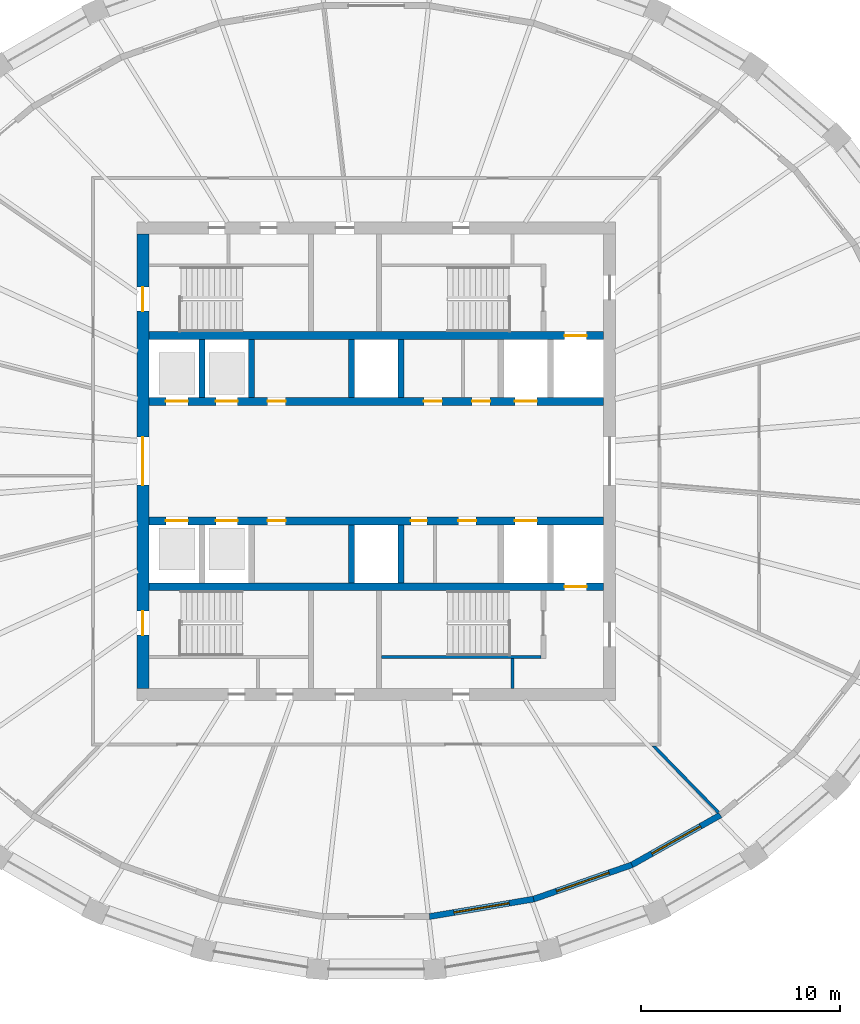
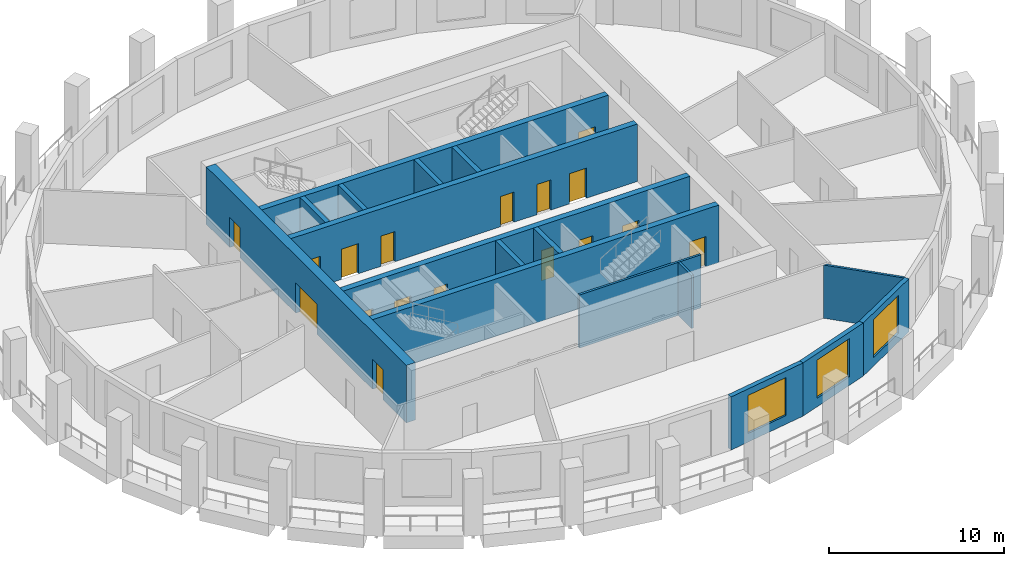
# One storey, part 4 of 10: 17 doors, 17 walls, 3 windows, 20 openings.
"""IFC4 building model written with IfcOpenShell, lengths in metres."""

from ifc_helpers import new_model, si_unit, direction, frame, frame_2d, origin, place, context, subcontext, project, spatial, polyline, rectangle, outline, extrude, material, layer, layer_set, type_object, element, fill, save


model = new_model("IFC4")

# Units and contexts
model_context = context("Model", 3, precision=1e-05, world=origin(), true_north=direction((0.0, 1.0)))
body_context = subcontext(model_context, "Body", "Model", "MODEL_VIEW")
ifc_project = project(units=[si_unit("LENGTHUNIT", "METRE"), si_unit("AREAUNIT", "SQUARE_METRE"), si_unit("VOLUMEUNIT", "CUBIC_METRE"), si_unit("PLANEANGLEUNIT", "RADIAN"), si_unit("MASSUNIT", "GRAM", prefix="KILO")], contexts=[model_context])

# Site, building, storey
site_placement = place(None, origin())
site = spatial("IfcSite", under=ifc_project, at=site_placement, CompositionType="ELEMENT")
building_placement = place(site_placement, origin())
building = spatial("IfcBuilding", under=site, at=building_placement, Name="Halqa Exchange Tower", CompositionType="ELEMENT")
storey_placement = place(building_placement, frame((0.0, 0.0, 268.300048828125)))
storey = spatial("IfcBuildingStorey", under=building, at=storey_placement, Name="L62", CompositionType="ELEMENT", Elevation=268.300048828125)

# Walls
ifc_material_1 = material(Name="Fire-rated gypsum board")
ifc_layer_1 = layer(ifc_material_1, 0.14990234375)
ifc_layer_set_1 = layer_set([ifc_layer_1], Name="Fire-rated gypsum board")
wall_type_1 = type_object("IfcWallType", Name="Fire partition EI 60 150", PredefinedType="PARTITIONING", material=ifc_layer_set_1)
wall_1_placement = place(storey_placement, frame((13.852294921875, -14.222900390625, 0.0), z_axis=(0.0, 0.0, 1.0), x_axis=(0.69820654799, -0.715896372629, 0.0)))
element("IfcWall", 1, at=wall_1_placement, inside=storey, type_object=wall_type_1, Name="L62-PWL-015", PredefinedType="PARTITIONING", context=body_context, shape_type="SweptSolid", body=[
    extrude(outline(polyline([(0.0, -0.074951171875), (1.577880859375, -0.074951171875), (3.156005859375, -0.074951171875), (4.73388671875, -0.074951171875), (4.73388671875, -0.07470703125), (4.73388671875, 0.074951171875), (3.20458984375, 0.074951171875), (1.67529296875, 0.074951171875), (0.14599609375, 0.074951171875), (0.0, -0.07470703125), (0.0, -0.074951171875)])), origin(), (0.0, 0.0, 1.0), 3.699951171875),
])
ifc_material_2 = material(Name="Gypsum board")
ifc_layer_2 = layer(ifc_material_2, 0.14990234375)
ifc_layer_set_2 = layer_set([ifc_layer_2], Name="Gypsum board")
wall_type_2 = type_object("IfcWallType", Name="Penthouse riser wall 150 gypsum", PredefinedType="PARTITIONING", material=ifc_layer_set_2)
wall_2_placement = place(storey_placement, frame((6.824951171875, -11.39990234375, 0.0), z_axis=(0.0, 0.0, 1.0), x_axis=(0.0, 1.0, 0.0)))
element("IfcWall", 2, at=wall_2_placement, inside=storey, type_object=wall_type_2, Name="Firefighting lobby west wall S", PredefinedType="PARTITIONING", context=body_context, shape_type="SweptSolid", body=[
    extrude(rectangle(XDim=1.5, YDim=0.14990234375, at=frame_2d((0.75, 0.0))), origin(), (0.0, 0.0, 1.0), 3.699951171875),
])
ifc_material_3 = material(Name="Concrete C60/75", Category="concrete")
ifc_layer_3 = layer(ifc_material_3, 0.300048828125)
ifc_layer_set_3 = layer_set([ifc_layer_3], Name="Concrete C60/75")
wall_type_3 = type_object("IfcWallType", Name="RC core wall 300", PredefinedType="SHEAR", material=ifc_layer_set_3)
for number, where, z_axis, x_axis, name in (
    (3, (-8.75, 3.199951171875, 0.0), (0.0, 0.0, 1.0), (0.0, 1.0, 0.0), "Shaft divider N1"),
    (4, (-6.25, 3.199951171875, 0.0), (0.0, 0.0, 1.0), (0.0, 1.0, 0.0), "Shaft divider N2"),
    (5, (-1.25, 3.199951171875, 0.0), (0.0, 0.0, 1.0), (0.0, 1.0, 0.0), "Shaft divider N4"),
    (6, (1.25, 3.199951171875, 0.0), (0.0, 0.0, 1.0), (0.0, 1.0, 0.0), "Shaft divider N5"),
    (7, (-1.25, -6.10009765625, 0.0), (0.0, 0.0, 1.0), (0.0, 1.0, 0.0), "Shaft divider S4"),
    (8, (1.25, -6.10009765625, 0.0), (0.0, 0.0, 1.0), (0.0, 1.0, 0.0), "Shaft divider S5"),
):
    element("IfcWall", number, at=place(storey_placement, frame(where, z_axis=z_axis, x_axis=x_axis)), inside=storey, type_object=wall_type_3, Name=name, PredefinedType="SHEAR", context=body_context, shape_type="SweptSolid", body=[
        extrude(rectangle(XDim=2.900146484375, YDim=0.300048828125, at=frame_2d((1.4501953125, 0.0))), origin(), (0.0, 0.0, 1.0), 4.0),
    ])

# Wall, openings, doors
ifc_layer_4 = layer(ifc_material_3, 0.39990234375)
ifc_layer_set_4 = layer_set([ifc_layer_4], Name="Concrete C60/75")
wall_type_4 = type_object("IfcWallType", Name="RC core wall 400 C60/75", PredefinedType="SHEAR", material=ifc_layer_set_4)
wall_3_placement = place(storey_placement, frame((-11.39990234375, 3.0, 0.0), z_axis=(0.0, 0.0, 1.0), x_axis=(1.0, 0.0, 0.0)))
wall_3 = element("IfcWall", 9, at=wall_3_placement, inside=storey, type_object=wall_type_4, Name="Lift row front wall N", PredefinedType="SHEAR", context=body_context, shape_type="SweptSolid", body=[
    extrude(rectangle(XDim=22.7998046875, YDim=0.39990234375, at=frame_2d((11.39990234375, 0.0))), origin(), (0.0, 0.0, 1.0), 4.0),
])
opening_1_placement = place(wall_3_placement, frame((0.85009765625, 0.0, 0.0)))
opening_1 = element("IfcOpeningElement", 10, at=opening_1_placement, cuts=wall_3, Name="Opening LD-HR1-T19", PredefinedType="OPENING", context=body_context, shape_type="SweptSolid", body=[
    extrude(rectangle(XDim=1.10009765625, YDim=2.10009765625, at=frame_2d((0.550048828125, 1.050048828125))), frame((0.0, 0.2119140625, 0.0), z_axis=(0.0, -1.0, 0.0), x_axis=(1.0, 0.0, 0.0)), (0.0, 0.0, 1.0), 0.423828125),
])
opening_2_placement = place(wall_3_placement, frame((3.35009765625, 0.0, 0.0)))
opening_2 = element("IfcOpeningElement", 11, at=opening_2_placement, cuts=wall_3, Name="Opening LD-HR2-T19", PredefinedType="OPENING", context=body_context, shape_type="SweptSolid", body=[
    extrude(rectangle(XDim=1.10009765625, YDim=2.10009765625, at=frame_2d((0.550048828125, 1.050048828125))), frame((0.0, 0.2119140625, 0.0), z_axis=(0.0, -1.0, 0.0), x_axis=(1.0, 0.0, 0.0)), (0.0, 0.0, 1.0), 0.423828125),
])
opening_3_placement = place(wall_3_placement, frame((18.35009765625, 0.0, 0.0)))
opening_3 = element("IfcOpeningElement", 12, at=opening_3_placement, cuts=wall_3, Name="Opening LD-SV1-T19", PredefinedType="OPENING", context=body_context, shape_type="SweptSolid", body=[
    extrude(rectangle(XDim=1.10009765625, YDim=2.10009765625, at=frame_2d((0.550048828125, 1.050048828125))), frame((0.0, 0.2119140625, 0.0), z_axis=(0.0, -1.0, 0.0), x_axis=(1.0, 0.0, 0.0)), (0.0, 0.0, 1.0), 0.423828125),
])
opening_4_placement = place(wall_3_placement, frame((13.78759765625, 0.0, 0.0)))
opening_4 = element("IfcOpeningElement", 13, at=opening_4_placement, cuts=wall_3, Name="Opening T19-C25", PredefinedType="OPENING", context=body_context, shape_type="SweptSolid", body=[
    extrude(rectangle(XDim=0.89990234375, YDim=2.10009765625, at=frame_2d((0.449951171875, 1.050048828125))), frame((0.0, 0.2119140625, 0.0), z_axis=(0.0, -1.0, 0.0), x_axis=(1.0, 0.0, 0.0)), (0.0, 0.0, 1.0), 0.423828125),
])
opening_5_placement = place(wall_3_placement, frame((16.21240234375, 0.0, 0.0)))
opening_5 = element("IfcOpeningElement", 14, at=opening_5_placement, cuts=wall_3, Name="Opening T19-C26", PredefinedType="OPENING", context=body_context, shape_type="SweptSolid", body=[
    extrude(rectangle(XDim=0.89990234375, YDim=2.10009765625, at=frame_2d((0.449951171875, 1.050048828125))), frame((0.0, 0.2119140625, 0.0), z_axis=(0.0, -1.0, 0.0), x_axis=(1.0, 0.0, 0.0)), (0.0, 0.0, 1.0), 0.423828125),
])
opening_6_placement = place(wall_3_placement, frame((5.949951171875, 0.0, 0.0)))
opening_6 = element("IfcOpeningElement", 15, at=opening_6_placement, cuts=wall_3, Name="Opening T19-C27", PredefinedType="OPENING", context=body_context, shape_type="SweptSolid", body=[
    extrude(rectangle(XDim=0.89990234375, YDim=2.10009765625, at=frame_2d((0.449951171875, 1.050048828125))), frame((0.0, 0.2119140625, 0.0), z_axis=(0.0, -1.0, 0.0), x_axis=(1.0, 0.0, 0.0)), (0.0, 0.0, 1.0), 0.423828125),
])
ifc_material_4 = material(Name="Timber fire door leaf", Category="wood")
door_type_1 = type_object("IfcDoorType", Name="Core room door FD30 900 x 2100", OperationType="SINGLE_SWING_LEFT", PredefinedType="DOOR", material=ifc_material_4)
door_1_placement = place(opening_4_placement, origin())
door_1 = element("IfcDoor", 16, at=door_1_placement, inside=storey, type_object=door_type_1, Name="Core room door", OperationType="SINGLE_SWING_LEFT", OverallHeight=2.10009765625, OverallWidth=0.89990234375, PredefinedType="DOOR", context=body_context, shape_type="SweptSolid", body=[
    extrude(rectangle(XDim=0.89990234375, YDim=2.10009765625, at=frame_2d((0.449951171875, 1.050048828125))), frame((0.0, 0.02490234375, 0.0), z_axis=(0.0, -1.0, 0.0), x_axis=(1.0, 0.0, 0.0)), (0.0, 0.0, 1.0), 0.050048828125),
])
fill(opening_4, door_1)
door_2_placement = place(opening_5_placement, origin())
door_2 = element("IfcDoor", 17, at=door_2_placement, inside=storey, type_object=door_type_1, Name="Core room door", OperationType="SINGLE_SWING_LEFT", OverallHeight=2.10009765625, OverallWidth=0.89990234375, PredefinedType="DOOR", context=body_context, shape_type="SweptSolid", body=[
    extrude(rectangle(XDim=0.89990234375, YDim=2.10009765625, at=frame_2d((0.449951171875, 1.050048828125))), frame((0.0, 0.02490234375, 0.0), z_axis=(0.0, -1.0, 0.0), x_axis=(1.0, 0.0, 0.0)), (0.0, 0.0, 1.0), 0.050048828125),
])
fill(opening_5, door_2)
door_3_placement = place(opening_6_placement, origin())
door_3 = element("IfcDoor", 18, at=door_3_placement, inside=storey, type_object=door_type_1, Name="Core room door", OperationType="SINGLE_SWING_RIGHT", OverallHeight=2.10009765625, OverallWidth=0.89990234375, PredefinedType="DOOR", context=body_context, shape_type="SweptSolid", body=[
    extrude(rectangle(XDim=0.89990234375, YDim=2.10009765625, at=frame_2d((0.449951171875, 1.050048828125))), frame((0.0, 0.02490234375, 0.0), z_axis=(0.0, -1.0, 0.0), x_axis=(1.0, 0.0, 0.0)), (0.0, 0.0, 1.0), 0.050048828125),
])
fill(opening_6, door_3)
ifc_material_5 = material(Name="Stainless steel", Category="steel")
door_type_2 = type_object("IfcDoorType", Name="Lift landing door 1100 x 2100", OperationType="SLIDING_TO_LEFT", PredefinedType="DOOR", material=ifc_material_5)
door_4_placement = place(opening_1_placement, origin())
door_4 = element("IfcDoor", 19, at=door_4_placement, inside=storey, type_object=door_type_2, Name="Lift landing door HR1", OperationType="SLIDING_TO_LEFT", OverallHeight=2.10009765625, OverallWidth=1.10009765625, PredefinedType="DOOR", context=body_context, shape_type="SweptSolid", body=[
    extrude(rectangle(XDim=1.10009765625, YDim=2.10009765625, at=frame_2d((0.550048828125, 1.050048828125))), frame((0.0, 0.02490234375, 0.0), z_axis=(0.0, -1.0, 0.0), x_axis=(1.0, 0.0, 0.0)), (0.0, 0.0, 1.0), 0.050048828125),
])
fill(opening_1, door_4)
door_5_placement = place(opening_2_placement, origin())
door_5 = element("IfcDoor", 20, at=door_5_placement, inside=storey, type_object=door_type_2, Name="Lift landing door HR2", OperationType="SLIDING_TO_LEFT", OverallHeight=2.10009765625, OverallWidth=1.10009765625, PredefinedType="DOOR", context=body_context, shape_type="SweptSolid", body=[
    extrude(rectangle(XDim=1.10009765625, YDim=2.10009765625, at=frame_2d((0.550048828125, 1.050048828125))), frame((0.0, 0.02490234375, 0.0), z_axis=(0.0, -1.0, 0.0), x_axis=(1.0, 0.0, 0.0)), (0.0, 0.0, 1.0), 0.050048828125),
])
fill(opening_2, door_5)
door_6_placement = place(opening_3_placement, origin())
door_6 = element("IfcDoor", 21, at=door_6_placement, inside=storey, type_object=door_type_2, Name="Lift landing door SV1", OperationType="SLIDING_TO_LEFT", OverallHeight=2.10009765625, OverallWidth=1.10009765625, PredefinedType="DOOR", context=body_context, shape_type="SweptSolid", body=[
    extrude(rectangle(XDim=1.10009765625, YDim=2.10009765625, at=frame_2d((0.550048828125, 1.050048828125))), frame((0.0, 0.02490234375, 0.0), z_axis=(0.0, -1.0, 0.0), x_axis=(1.0, 0.0, 0.0)), (0.0, 0.0, 1.0), 0.050048828125),
])
fill(opening_3, door_6)

# Wall, opening, door
wall_4_placement = place(storey_placement, frame((-11.39990234375, 6.300048828125, 0.0), z_axis=(0.0, 0.0, 1.0), x_axis=(1.0, 0.0, 0.0)))
wall_4 = element("IfcWall", 22, at=wall_4_placement, inside=storey, type_object=wall_type_4, Name="Lift row back wall N", PredefinedType="SHEAR", context=body_context, shape_type="SweptSolid", body=[
    extrude(rectangle(XDim=22.7998046875, YDim=0.39990234375, at=frame_2d((11.39990234375, 0.0))), origin(), (0.0, 0.0, 1.0), 4.0),
])
opening_7_placement = place(wall_4_placement, frame((20.85009765625, 0.0, 0.0)))
opening_7 = element("IfcOpeningElement", 23, at=opening_7_placement, cuts=wall_4, Name="Opening LD-FF1-T19", PredefinedType="OPENING", context=body_context, shape_type="SweptSolid", body=[
    extrude(rectangle(XDim=1.10009765625, YDim=2.10009765625, at=frame_2d((0.550048828125, 1.050048828125))), frame((0.0, 0.2119140625, 0.0), z_axis=(0.0, -1.0, 0.0), x_axis=(1.0, 0.0, 0.0)), (0.0, 0.0, 1.0), 0.423828125),
])
door_7_placement = place(opening_7_placement, origin())
door_7 = element("IfcDoor", 24, at=door_7_placement, inside=storey, type_object=door_type_2, Name="Lift landing door FF1", OperationType="SLIDING_TO_LEFT", OverallHeight=2.10009765625, OverallWidth=1.10009765625, PredefinedType="DOOR", context=body_context, shape_type="SweptSolid", body=[
    extrude(rectangle(XDim=1.10009765625, YDim=2.10009765625, at=frame_2d((0.550048828125, 1.050048828125))), frame((0.0, 0.02490234375, 0.0), z_axis=(0.0, -1.0, 0.0), x_axis=(1.0, 0.0, 0.0)), (0.0, 0.0, 1.0), 0.050048828125),
])
fill(opening_7, door_7)

# Wall, openings, doors
wall_5_placement = place(storey_placement, frame((-11.39990234375, -3.0, 0.0), z_axis=(0.0, 0.0, 1.0), x_axis=(1.0, 0.0, 0.0)))
wall_5 = element("IfcWall", 25, at=wall_5_placement, inside=storey, type_object=wall_type_4, Name="Lift row front wall S", PredefinedType="SHEAR", context=body_context, shape_type="SweptSolid", body=[
    extrude(rectangle(XDim=22.7998046875, YDim=0.39990234375, at=frame_2d((11.39990234375, 0.0))), origin(), (0.0, 0.0, 1.0), 4.0),
])
opening_8_placement = place(wall_5_placement, frame((0.85009765625, 0.0, 0.0)))
opening_8 = element("IfcOpeningElement", 26, at=opening_8_placement, cuts=wall_5, Name="Opening LD-HR3-T19", PredefinedType="OPENING", context=body_context, shape_type="SweptSolid", body=[
    extrude(rectangle(XDim=1.10009765625, YDim=2.10009765625, at=frame_2d((0.550048828125, 1.050048828125))), frame((0.0, 0.2119140625, 0.0), z_axis=(0.0, -1.0, 0.0), x_axis=(1.0, 0.0, 0.0)), (0.0, 0.0, 1.0), 0.423828125),
])
opening_9_placement = place(wall_5_placement, frame((3.35009765625, 0.0, 0.0)))
opening_9 = element("IfcOpeningElement", 27, at=opening_9_placement, cuts=wall_5, Name="Opening LD-HR4-T19", PredefinedType="OPENING", context=body_context, shape_type="SweptSolid", body=[
    extrude(rectangle(XDim=1.10009765625, YDim=2.10009765625, at=frame_2d((0.550048828125, 1.050048828125))), frame((0.0, 0.2119140625, 0.0), z_axis=(0.0, -1.0, 0.0), x_axis=(1.0, 0.0, 0.0)), (0.0, 0.0, 1.0), 0.423828125),
])
opening_10_placement = place(wall_5_placement, frame((18.35009765625, 0.0, 0.0)))
opening_10 = element("IfcOpeningElement", 28, at=opening_10_placement, cuts=wall_5, Name="Opening LD-SV2-T19", PredefinedType="OPENING", context=body_context, shape_type="SweptSolid", body=[
    extrude(rectangle(XDim=1.10009765625, YDim=2.10009765625, at=frame_2d((0.550048828125, 1.050048828125))), frame((0.0, 0.2119140625, 0.0), z_axis=(0.0, -1.0, 0.0), x_axis=(1.0, 0.0, 0.0)), (0.0, 0.0, 1.0), 0.423828125),
])
opening_11_placement = place(wall_5_placement, frame((13.137451171875, 0.0, 0.0)))
opening_11 = element("IfcOpeningElement", 29, at=opening_11_placement, cuts=wall_5, Name="Opening T19-C28", PredefinedType="OPENING", context=body_context, shape_type="SweptSolid", body=[
    extrude(rectangle(XDim=0.800048828125, YDim=2.10009765625, at=frame_2d((0.39990234375, 1.050048828125))), frame((0.0, 0.2119140625, 0.0), z_axis=(0.0, -1.0, 0.0), x_axis=(1.0, 0.0, 0.0)), (0.0, 0.0, 1.0), 0.423828125),
])
opening_12_placement = place(wall_5_placement, frame((15.512451171875, 0.0, 0.0)))
opening_12 = element("IfcOpeningElement", 30, at=opening_12_placement, cuts=wall_5, Name="Opening T19-C29", PredefinedType="OPENING", context=body_context, shape_type="SweptSolid", body=[
    extrude(rectangle(XDim=0.89990234375, YDim=2.10009765625, at=frame_2d((0.449951171875, 1.050048828125))), frame((0.0, 0.2119140625, 0.0), z_axis=(0.0, -1.0, 0.0), x_axis=(1.0, 0.0, 0.0)), (0.0, 0.0, 1.0), 0.423828125),
])
opening_13_placement = place(wall_5_placement, frame((5.949951171875, 0.0, 0.0)))
opening_13 = element("IfcOpeningElement", 31, at=opening_13_placement, cuts=wall_5, Name="Opening T19-C30", PredefinedType="OPENING", context=body_context, shape_type="SweptSolid", body=[
    extrude(rectangle(XDim=0.89990234375, YDim=2.10009765625, at=frame_2d((0.449951171875, 1.050048828125))), frame((0.0, 0.2119140625, 0.0), z_axis=(0.0, -1.0, 0.0), x_axis=(1.0, 0.0, 0.0)), (0.0, 0.0, 1.0), 0.423828125),
])
door_8_placement = place(opening_12_placement, frame((0.89990234375, 0.0, 0.0), z_axis=(0.0, 0.0, 1.0), x_axis=(-1.0, 0.0, 0.0)))
door_8 = element("IfcDoor", 32, at=door_8_placement, inside=storey, type_object=door_type_1, Name="Core room door", OperationType="SINGLE_SWING_LEFT", OverallHeight=2.10009765625, OverallWidth=0.89990234375, PredefinedType="DOOR", context=body_context, shape_type="SweptSolid", body=[
    extrude(rectangle(XDim=0.89990234375, YDim=2.10009765625, at=frame_2d((0.449951171875, 1.050048828125))), frame((0.0, 0.02490234375, 0.0), z_axis=(0.0, -1.0, 0.0), x_axis=(1.0, 0.0, 0.0)), (0.0, 0.0, 1.0), 0.050048828125),
])
fill(opening_12, door_8)
door_9_placement = place(opening_13_placement, frame((0.89990234375, 0.0, 0.0), z_axis=(0.0, 0.0, 1.0), x_axis=(-1.0, 0.0, 0.0)))
door_9 = element("IfcDoor", 33, at=door_9_placement, inside=storey, type_object=door_type_1, Name="Core room door", OperationType="SINGLE_SWING_LEFT", OverallHeight=2.10009765625, OverallWidth=0.89990234375, PredefinedType="DOOR", context=body_context, shape_type="SweptSolid", body=[
    extrude(rectangle(XDim=0.89990234375, YDim=2.10009765625, at=frame_2d((0.449951171875, 1.050048828125))), frame((0.0, 0.02490234375, 0.0), z_axis=(0.0, -1.0, 0.0), x_axis=(1.0, 0.0, 0.0)), (0.0, 0.0, 1.0), 0.050048828125),
])
fill(opening_13, door_9)
door_10_placement = place(opening_8_placement, origin())
door_10 = element("IfcDoor", 34, at=door_10_placement, inside=storey, type_object=door_type_2, Name="Lift landing door HR3", OperationType="SLIDING_TO_LEFT", OverallHeight=2.10009765625, OverallWidth=1.10009765625, PredefinedType="DOOR", context=body_context, shape_type="SweptSolid", body=[
    extrude(rectangle(XDim=1.10009765625, YDim=2.10009765625, at=frame_2d((0.550048828125, 1.050048828125))), frame((0.0, 0.02490234375, 0.0), z_axis=(0.0, -1.0, 0.0), x_axis=(1.0, 0.0, 0.0)), (0.0, 0.0, 1.0), 0.050048828125),
])
fill(opening_8, door_10)
door_11_placement = place(opening_9_placement, origin())
door_11 = element("IfcDoor", 35, at=door_11_placement, inside=storey, type_object=door_type_2, Name="Lift landing door HR4", OperationType="SLIDING_TO_LEFT", OverallHeight=2.10009765625, OverallWidth=1.10009765625, PredefinedType="DOOR", context=body_context, shape_type="SweptSolid", body=[
    extrude(rectangle(XDim=1.10009765625, YDim=2.10009765625, at=frame_2d((0.550048828125, 1.050048828125))), frame((0.0, 0.02490234375, 0.0), z_axis=(0.0, -1.0, 0.0), x_axis=(1.0, 0.0, 0.0)), (0.0, 0.0, 1.0), 0.050048828125),
])
fill(opening_9, door_11)
door_12_placement = place(opening_10_placement, origin())
door_12 = element("IfcDoor", 36, at=door_12_placement, inside=storey, type_object=door_type_2, Name="Lift landing door SV2", OperationType="SLIDING_TO_LEFT", OverallHeight=2.10009765625, OverallWidth=1.10009765625, PredefinedType="DOOR", context=body_context, shape_type="SweptSolid", body=[
    extrude(rectangle(XDim=1.10009765625, YDim=2.10009765625, at=frame_2d((0.550048828125, 1.050048828125))), frame((0.0, 0.02490234375, 0.0), z_axis=(0.0, -1.0, 0.0), x_axis=(1.0, 0.0, 0.0)), (0.0, 0.0, 1.0), 0.050048828125),
])
fill(opening_10, door_12)
ifc_material_6 = material(Name="Steel fire door leaf", Category="steel")
door_type_3 = type_object("IfcDoorType", Name="Riser door FD60 800 x 2100", OperationType="SINGLE_SWING_LEFT", PredefinedType="DOOR", material=ifc_material_6)
door_13_placement = place(opening_11_placement, frame((0.800048828125, 0.0, 0.0), z_axis=(0.0, 0.0, 1.0), x_axis=(-1.0, 0.0, 0.0)))
door_13 = element("IfcDoor", 37, at=door_13_placement, inside=storey, type_object=door_type_3, Name="Core room door", OperationType="SINGLE_SWING_LEFT", OverallHeight=2.10009765625, OverallWidth=0.800048828125, PredefinedType="DOOR", context=body_context, shape_type="SweptSolid", body=[
    extrude(rectangle(XDim=0.800048828125, YDim=2.10009765625, at=frame_2d((0.39990234375, 1.050048828125))), frame((0.0, 0.02490234375, 0.0), z_axis=(0.0, -1.0, 0.0), x_axis=(1.0, 0.0, 0.0)), (0.0, 0.0, 1.0), 0.050048828125),
])
fill(opening_11, door_13)

# Wall, opening, door
wall_6_placement = place(storey_placement, frame((-11.39990234375, -6.300048828125, 0.0), z_axis=(0.0, 0.0, 1.0), x_axis=(1.0, 0.0, 0.0)))
wall_6 = element("IfcWall", 38, at=wall_6_placement, inside=storey, type_object=wall_type_4, Name="Lift row back wall S", PredefinedType="SHEAR", context=body_context, shape_type="SweptSolid", body=[
    extrude(rectangle(XDim=22.7998046875, YDim=0.39990234375, at=frame_2d((11.39990234375, 0.0))), origin(), (0.0, 0.0, 1.0), 4.0),
])
opening_14_placement = place(wall_6_placement, frame((20.85009765625, 0.0, 0.0)))
opening_14 = element("IfcOpeningElement", 39, at=opening_14_placement, cuts=wall_6, Name="Opening LD-FF2-T19", PredefinedType="OPENING", context=body_context, shape_type="SweptSolid", body=[
    extrude(rectangle(XDim=1.10009765625, YDim=2.10009765625, at=frame_2d((0.550048828125, 1.050048828125))), frame((0.0, 0.2119140625, 0.0), z_axis=(0.0, -1.0, 0.0), x_axis=(1.0, 0.0, 0.0)), (0.0, 0.0, 1.0), 0.423828125),
])
door_14_placement = place(opening_14_placement, origin())
door_14 = element("IfcDoor", 40, at=door_14_placement, inside=storey, type_object=door_type_2, Name="Lift landing door FF2", OperationType="SLIDING_TO_LEFT", OverallHeight=2.10009765625, OverallWidth=1.10009765625, PredefinedType="DOOR", context=body_context, shape_type="SweptSolid", body=[
    extrude(rectangle(XDim=1.10009765625, YDim=2.10009765625, at=frame_2d((0.550048828125, 1.050048828125))), frame((0.0, 0.02490234375, 0.0), z_axis=(0.0, -1.0, 0.0), x_axis=(1.0, 0.0, 0.0)), (0.0, 0.0, 1.0), 0.050048828125),
])
fill(opening_14, door_14)

# Wall, openings, doors
ifc_layer_5 = layer(ifc_material_3, 0.60009765625)
ifc_layer_set_5 = layer_set([ifc_layer_5], Name="Concrete C60/75")
wall_type_5 = type_object("IfcWallType", Name="RC core wall 600 C60/75", PredefinedType="SHEAR", material=ifc_layer_set_5)
wall_7_placement = place(storey_placement, frame((-11.699951171875, -11.39990234375, 0.0), z_axis=(0.0, 0.0, 1.0), x_axis=(0.0, 1.0, 0.0)))
wall_7 = element("IfcWall", 41, at=wall_7_placement, inside=storey, type_object=wall_type_5, Name="Core wall west", PredefinedType="SHEAR", context=body_context, shape_type="SweptSolid", body=[
    extrude(rectangle(XDim=22.7998046875, YDim=0.60009765625, at=frame_2d((11.39990234375, 0.0))), origin(), (0.0, 0.0, 1.0), 4.0),
])
opening_15_placement = place(wall_7_placement, frame((10.199951171875, 0.0, 0.0)))
opening_15 = element("IfcOpeningElement", 42, at=opening_15_placement, cuts=wall_7, Name="Opening T19-C09", PredefinedType="OPENING", context=body_context, shape_type="SweptSolid", body=[
    extrude(rectangle(XDim=2.39990234375, YDim=2.10009765625, at=frame_2d((1.199951171875, 1.050048828125))), frame((0.0, 0.31201171875, 0.0), z_axis=(0.0, -1.0, 0.0), x_axis=(1.0, 0.0, 0.0)), (0.0, 0.0, 1.0), 0.6240234375),
])
opening_16_placement = place(wall_7_placement, frame((18.925048828125, 0.0, 0.0)))
opening_16 = element("IfcOpeningElement", 43, at=opening_16_placement, cuts=wall_7, Name="Opening T19-C11", PredefinedType="OPENING", context=body_context, shape_type="SweptSolid", body=[
    extrude(rectangle(XDim=1.199951171875, YDim=2.10009765625, at=frame_2d((0.60009765625, 1.050048828125))), frame((0.0, 0.31201171875, 0.0), z_axis=(0.0, -1.0, 0.0), x_axis=(1.0, 0.0, 0.0)), (0.0, 0.0, 1.0), 0.6240234375),
])
opening_17_placement = place(wall_7_placement, frame((2.675048828125, 0.0, 0.0)))
opening_17 = element("IfcOpeningElement", 44, at=opening_17_placement, cuts=wall_7, Name="Opening T19-C13", PredefinedType="OPENING", context=body_context, shape_type="SweptSolid", body=[
    extrude(rectangle(XDim=1.199951171875, YDim=2.10009765625, at=frame_2d((0.60009765625, 1.050048828125))), frame((0.0, 0.31201171875, 0.0), z_axis=(0.0, -1.0, 0.0), x_axis=(1.0, 0.0, 0.0)), (0.0, 0.0, 1.0), 0.6240234375),
])
door_type_4 = type_object("IfcDoorType", Name="Lobby double door FD60 2400 x 2100", OperationType="DOUBLE_DOOR_SINGLE_SWING", PredefinedType="DOOR", material=ifc_material_6)
door_15_placement = place(opening_15_placement, frame((2.39990234375, 0.0, 0.0), z_axis=(0.0, 0.0, 1.0), x_axis=(-1.0, 0.0, 0.0)))
door_15 = element("IfcDoor", 45, at=door_15_placement, inside=storey, type_object=door_type_4, Name="Lift lobby double door", OperationType="DOUBLE_DOOR_SINGLE_SWING", OverallHeight=2.10009765625, OverallWidth=2.39990234375, PredefinedType="DOOR", context=body_context, shape_type="SweptSolid", body=[
    extrude(rectangle(XDim=2.39990234375, YDim=2.10009765625, at=frame_2d((1.199951171875, 1.050048828125))), frame((0.0, 0.02490234375, 0.0), z_axis=(0.0, -1.0, 0.0), x_axis=(1.0, 0.0, 0.0)), (0.0, 0.0, 1.0), 0.050048828125),
])
fill(opening_15, door_15)
door_type_5 = type_object("IfcDoorType", Name="Stair door FD90 1200 x 2100", OperationType="SINGLE_SWING_LEFT", PredefinedType="DOOR", material=ifc_material_6)
door_16_placement = place(opening_16_placement, frame((1.199951171875, 0.0, 0.0), z_axis=(0.0, 0.0, 1.0), x_axis=(-1.0, 0.0, 0.0)))
door_16 = element("IfcDoor", 46, at=door_16_placement, inside=storey, type_object=door_type_5, Name="Stair door ST1", OperationType="SINGLE_SWING_RIGHT", OverallHeight=2.10009765625, OverallWidth=1.199951171875, PredefinedType="DOOR", context=body_context, shape_type="SweptSolid", body=[
    extrude(rectangle(XDim=1.199951171875, YDim=2.10009765625, at=frame_2d((0.60009765625, 1.050048828125))), frame((0.0, 0.02490234375, 0.0), z_axis=(0.0, -1.0, 0.0), x_axis=(1.0, 0.0, 0.0)), (0.0, 0.0, 1.0), 0.050048828125),
])
fill(opening_16, door_16)
door_17_placement = place(opening_17_placement, frame((1.199951171875, 0.0, 0.0), z_axis=(0.0, 0.0, 1.0), x_axis=(-1.0, 0.0, 0.0)))
door_17 = element("IfcDoor", 47, at=door_17_placement, inside=storey, type_object=door_type_5, Name="Stair door ST3", OperationType="SINGLE_SWING_RIGHT", OverallHeight=2.10009765625, OverallWidth=1.199951171875, PredefinedType="DOOR", context=body_context, shape_type="SweptSolid", body=[
    extrude(rectangle(XDim=1.199951171875, YDim=2.10009765625, at=frame_2d((0.60009765625, 1.050048828125))), frame((0.0, 0.02490234375, 0.0), z_axis=(0.0, -1.0, 0.0), x_axis=(1.0, 0.0, 0.0)), (0.0, 0.0, 1.0), 0.050048828125),
])
fill(opening_17, door_17)

# Wall
ifc_material_7 = material(Name="Concrete C30/37", Category="concrete")
ifc_layer_6 = layer(ifc_material_7, 0.14990234375)
ifc_layer_set_6 = layer_set([ifc_layer_6], Name="Concrete C30/37")
wall_type_6 = type_object("IfcWallType", Name="RC stair wall 150 C30/37", PredefinedType="SHEAR", material=ifc_layer_set_6)
wall_8_placement = place(storey_placement, frame((0.25, -9.824951171875, 0.0), z_axis=(0.0, 0.0, 1.0), x_axis=(1.0, 0.0, 0.0)))
element("IfcWall", 48, at=wall_8_placement, inside=storey, type_object=wall_type_6, Name="Stair ST2 north wall S", PredefinedType="SHEAR", context=body_context, shape_type="SweptSolid", body=[
    extrude(rectangle(XDim=8.0, YDim=0.14990234375, at=frame_2d((4.0, 0.0))), origin(), (0.0, 0.0, 1.0), 3.699951171875),
])

# Wall, opening, window
ifc_material_8 = material(Name="Limestone cladding", Category="masonry")
ifc_layer_7 = layer(ifc_material_8, 0.0400390625)
ifc_material_9 = material(Name="Ventilated cavity")
ifc_layer_8 = layer(ifc_material_9, 0.030029296875, ventilated=True)
ifc_material_10 = material(Name="Mineral wool insulation")
ifc_layer_9 = layer(ifc_material_10, 0.10009765625)
ifc_layer_10 = layer(ifc_material_7, 0.10009765625)
ifc_material_11 = material(Name="Internal plaster")
ifc_layer_11 = layer(ifc_material_11, 0.030029296875)
ifc_layer_set_7 = layer_set([ifc_layer_7, ifc_layer_8, ifc_layer_9, ifc_layer_10, ifc_layer_11], Name="Stone-faced insulated wall 300")
wall_type_7 = type_object("IfcWallType", Name="Stone-faced insulated wall 300", PredefinedType="STANDARD", material=ifc_layer_set_7)
wall_9_placement = place(storey_placement, frame((2.665771484375, -22.841796875, 0.0), z_axis=(0.0, 0.0, 1.0), x_axis=(0.986250435411, 0.165257612993, 0.0)))
wall_9 = element("IfcWall", 49, at=wall_9_placement, inside=storey, type_object=wall_type_7, Name="Glass-line wall 25", PredefinedType="STANDARD", context=body_context, shape_type="SweptSolid", body=[
    extrude(outline(polyline([(-0.012451171875, -0.14990234375), (5.31494140625, -0.14990234375), (5.28955078125, 0.14990234375), (0.012451171875, 0.14990234375), (-0.012451171875, -0.14990234375)])), origin(), (0.0, 0.0, 1.0), 3.699951171875),
])
opening_18_placement = place(wall_9_placement, frame((1.2509765625, 0.0, 0.60009765625)))
opening_18 = element("IfcOpeningElement", 50, at=opening_18_placement, cuts=wall_9, Name="Opening W-F4-25", PredefinedType="OPENING", context=body_context, shape_type="SweptSolid", body=[
    extrude(rectangle(XDim=2.800048828125, YDim=2.64990234375, at=frame_2d((1.39990234375, 1.324951171875))), frame((0.0, 0.162109375, 0.0), z_axis=(0.0, -1.0, 0.0), x_axis=(1.0, 0.0, 0.0)), (0.0, 0.0, 1.0), 0.323974609375),
])
ifc_material_12 = material(Name="Clear low-emissivity glass in aluminium frame", Category="aluminium")
window_type = type_object("IfcWindowType", Name="Fixed clear glazed window 2800 x 2650", PartitioningType="DOUBLE_PANEL_VERTICAL", PredefinedType="WINDOW", material=ifc_material_12)
window_1_placement = place(opening_18_placement, origin())
window_1 = element("IfcWindow", 51, at=window_1_placement, inside=storey, type_object=window_type, Name="Window 4", OverallHeight=2.64990234375, OverallWidth=2.800048828125, PartitioningType="DOUBLE_PANEL_VERTICAL", PredefinedType="WINDOW", context=body_context, shape_type="SweptSolid", body=[
    extrude(rectangle(XDim=2.800048828125, YDim=2.64990234375, at=frame_2d((1.39990234375, 1.324951171875))), frame((0.0, 0.030029296875, 0.0), z_axis=(0.0, -1.0, 0.0), x_axis=(1.0, 0.0, 0.0)), (0.0, 0.0, 1.0), 0.06005859375),
])
fill(opening_18, window_1)

wall_10_placement = place(storey_placement, frame((7.89501953125, -21.965576171875, 0.0), z_axis=(0.0, 0.0, 1.0), x_axis=(0.9441693858, 0.329460423904, 0.0)))
wall_10 = element("IfcWall", 52, at=wall_10_placement, inside=storey, type_object=wall_type_7, Name="Glass-line wall 26", PredefinedType="STANDARD", context=body_context, shape_type="SweptSolid", body=[
    extrude(outline(polyline([(-0.0126953125, -0.14990234375), (5.231689453125, -0.14990234375), (5.204833984375, 0.14990234375), (0.0126953125, 0.14990234375), (-0.0126953125, -0.14990234375)])), origin(), (0.0, 0.0, 1.0), 3.699951171875),
])
opening_19_placement = place(wall_10_placement, frame((1.209228515625, 0.0, 0.60009765625)))
opening_19 = element("IfcOpeningElement", 53, at=opening_19_placement, cuts=wall_10, Name="Opening W-F4-26", PredefinedType="OPENING", context=body_context, shape_type="SweptSolid", body=[
    extrude(rectangle(XDim=2.800048828125, YDim=2.64990234375, at=frame_2d((1.39990234375, 1.324951171875))), frame((0.0, 0.162109375, 0.0), z_axis=(0.0, -1.0, 0.0), x_axis=(1.0, 0.0, 0.0)), (0.0, 0.0, 1.0), 0.323974609375),
])
window_2_placement = place(opening_19_placement, origin())
window_2 = element("IfcWindow", 54, at=window_2_placement, inside=storey, type_object=window_type, Name="Window 4", OverallHeight=2.64990234375, OverallWidth=2.800048828125, PartitioningType="DOUBLE_PANEL_VERTICAL", PredefinedType="WINDOW", context=body_context, shape_type="SweptSolid", body=[
    extrude(rectangle(XDim=2.800048828125, YDim=2.64990234375, at=frame_2d((1.39990234375, 1.324951171875))), frame((0.0, 0.030029296875, 0.0), z_axis=(0.0, -1.0, 0.0), x_axis=(1.0, 0.0, 0.0)), (0.0, 0.0, 1.0), 0.06005859375),
])
fill(opening_19, window_2)

wall_11_placement = place(storey_placement, frame((12.822021484375, -20.246337890625, 0.0), z_axis=(0.0, 0.0, 1.0), x_axis=(0.871433320402, 0.490513983585, 0.0)))
wall_11 = element("IfcWall", 55, at=wall_11_placement, inside=storey, type_object=wall_type_7, Name="Glass-line wall 27", PredefinedType="STANDARD", context=body_context, shape_type="SweptSolid", body=[
    extrude(outline(polyline([(-0.013427734375, -0.14990234375), (5.1044921875, -0.14990234375), (5.076171875, 0.14990234375), (0.013427734375, 0.14990234375), (-0.013427734375, -0.14990234375)])), origin(), (0.0, 0.0, 1.0), 3.699951171875),
])
opening_20_placement = place(wall_11_placement, frame((1.14501953125, 0.0, 0.60009765625)))
opening_20 = element("IfcOpeningElement", 56, at=opening_20_placement, cuts=wall_11, Name="Opening W-F4-27", PredefinedType="OPENING", context=body_context, shape_type="SweptSolid", body=[
    extrude(rectangle(XDim=2.800048828125, YDim=2.64990234375, at=frame_2d((1.39990234375, 1.324951171875))), frame((0.0, 0.162109375, 0.0), z_axis=(0.0, -1.0, 0.0), x_axis=(1.0, 0.0, 0.0)), (0.0, 0.0, 1.0), 0.323974609375),
])
window_3_placement = place(opening_20_placement, origin())
window_3 = element("IfcWindow", 57, at=window_3_placement, inside=storey, type_object=window_type, Name="Window 4", OverallHeight=2.64990234375, OverallWidth=2.800048828125, PartitioningType="DOUBLE_PANEL_VERTICAL", PredefinedType="WINDOW", context=body_context, shape_type="SweptSolid", body=[
    extrude(rectangle(XDim=2.800048828125, YDim=2.64990234375, at=frame_2d((1.39990234375, 1.324951171875))), frame((0.0, 0.030029296875, 0.0), z_axis=(0.0, -1.0, 0.0), x_axis=(1.0, 0.0, 0.0)), (0.0, 0.0, 1.0), 0.06005859375),
])
fill(opening_20, window_3)

save(model, "model.ifc")
